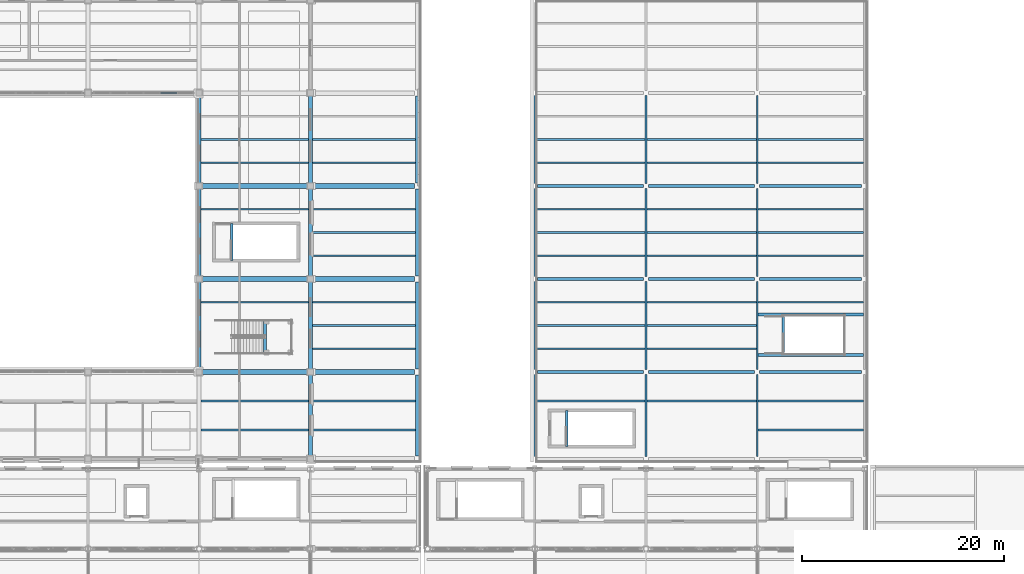
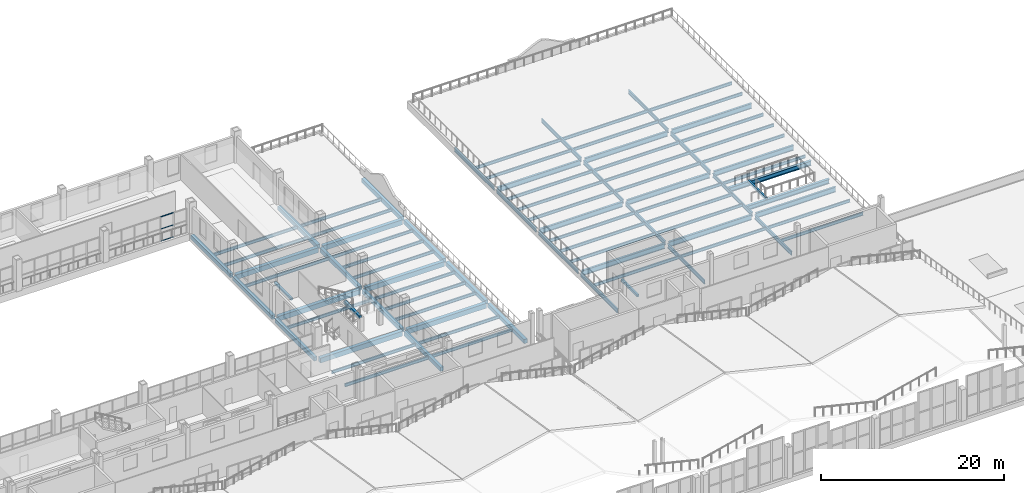
# One storey, part 70 of 120: 86 beams, 3 members, 1 element without a shape of its own.
"""IFC4 building model written with IfcOpenShell, lengths in metres."""

from ifc_helpers import new_model, si_unit, direction, frame, origin, origin_2d, place, context, subcontext, project, spatial, rectangle, hollow_rectangle, i_section, extrude, material, material_profile, profile_set, type_object, element, aggregate, save


model = new_model("IFC4")

# Units and contexts
model_context = context("Model", 3, precision=1e-05, world=origin(), true_north=direction((0.0, 1.0)))
body_context = subcontext(model_context, "Body", "Model", "MODEL_VIEW")
ifc_project = project(units=[si_unit("LENGTHUNIT", "METRE"), si_unit("AREAUNIT", "SQUARE_METRE"), si_unit("VOLUMEUNIT", "CUBIC_METRE"), si_unit("PLANEANGLEUNIT", "RADIAN"), si_unit("MASSUNIT", "GRAM", prefix="KILO")], contexts=[model_context])

# Site, building, storey
site_placement = place(None, origin())
site = spatial("IfcSite", under=ifc_project, at=site_placement, CompositionType="ELEMENT")
building_placement = place(site_placement, origin())
building = spatial("IfcBuilding", under=site, at=building_placement, Name="Caurita Quay Ferry Terminal", CompositionType="ELEMENT")
storey_placement = place(building_placement, frame((0.0, 0.0, 9.89990234375)))
storey = spatial("IfcBuildingStorey", under=building, at=storey_placement, Name="L02", CompositionType="ELEMENT", Elevation=9.89990234375)

# Beams
ifc_material_1 = material(Name="Structural steel ASTM A992 Gr. 50", Category="steel")
ifc_material_profile_1 = material_profile(ifc_material_1, i_section(OverallWidth=0.3251953125, OverallDepth=0.612060546875, WebThickness=0.0126953125, FlangeThickness=0.01904296875, FilletRadius=0.01513671875, at=origin_2d()), Name="W24X104")
ifc_profile_set_1 = profile_set([ifc_material_profile_1], Name="Structural steel ASTM A992 Gr. 50")
beam_type_1 = type_object("IfcBeamType", Name="BM-GR-W24A", PredefinedType="BEAM", material=ifc_profile_set_1)
for number, where, z_axis, x_axis, name in (
    (1, (121.283203125, 81.8798828125, -0.51611328125), (1.0, 0.0, 0.0), (0.0, 1.0, 0.0), "L02 Promenade Stair ST-13 Stringer S"),
    (2, (121.283203125, 85.8798828125, -0.51611328125), (1.0, 0.0, 0.0), (0.0, 1.0, 0.0), "L02 Promenade Stair ST-13 Stringer N"),
):
    element("IfcBeam", number, at=place(storey_placement, frame(where, z_axis=z_axis, x_axis=x_axis)), inside=storey, type_object=beam_type_1, Name=name, PredefinedType="BEAM", context=body_context, shape_type="SweptSolid", body=[
        extrude(i_section(OverallWidth=0.3251953125, OverallDepth=0.612060546875, WebThickness=0.0126953125, FlangeThickness=0.01904296875, FilletRadius=0.01513671875, at=origin_2d()), origin(), (0.0, 0.0, 1.0), 10.43359375),
    ])
ifc_material_profile_2 = material_profile(ifc_material_1, i_section(OverallWidth=0.25390625, OverallDepth=0.68310546875, WebThickness=0.012451171875, FlangeThickness=0.018798828125, at=origin_2d()), Name="W27X94")
ifc_profile_set_2 = profile_set([ifc_material_profile_2], Name="Structural steel ASTM A992 Gr. 50")
beam_type_2 = type_object("IfcBeamType", Name="BM-GR-W27B", PredefinedType="BEAM", material=ifc_profile_set_2)
for number, where, z_axis, x_axis, name in (
    (3, (99.455078125, 80.199951171875, -0.551513671875), (1.0, 0.0, 0.0), (0.0, 1.0, 0.0), "L02 Beam BM-V4W-L02-X-995-802"),
    (4, (110.455078125, 80.199951171875, -0.551513671875), (1.0, 0.0, 0.0), (0.0, 1.0, 0.0), "L02 Beam BM-V4W-L02-X-1105-802"),
):
    element("IfcBeam", number, at=place(storey_placement, frame(where, z_axis=z_axis, x_axis=x_axis)), inside=storey, type_object=beam_type_2, Name=name, PredefinedType="BEAM", context=body_context, shape_type="SweptSolid", body=[
        extrude(i_section(OverallWidth=0.25390625, OverallDepth=0.68310546875, WebThickness=0.012451171875, FlangeThickness=0.018798828125, at=origin_2d()), origin(), (0.0, 0.0, 1.0), 10.489990234375),
    ])
beam_1_placement = place(storey_placement, frame((121.455078125, 80.199951171875, -0.551513671875), z_axis=(1.0, 0.0, 0.0), x_axis=(0.0, 1.0, 0.0)))
element("IfcBeam", 5, at=beam_1_placement, inside=storey, type_object=beam_type_2, Name="L02 Beam BM-V4W-L02-X-1215-802", PredefinedType="BEAM", context=body_context, shape_type="SweptSolid", body=[
    extrude(i_section(OverallWidth=0.25390625, OverallDepth=0.68310546875, WebThickness=0.012451171875, FlangeThickness=0.018798828125, at=origin_2d()), origin(), (0.0, 0.0, 1.0), 10.08984375),
])
for number, where, z_axis, x_axis, name in (
    (6, (99.455078125, 89.39990234375, -0.551513671875), (1.0, 0.0, 0.0), (0.0, 1.0, 0.0), "L02 Beam BM-V4W-L02-X-995-894"),
    (7, (110.455078125, 89.39990234375, -0.551513671875), (1.0, 0.0, 0.0), (0.0, 1.0, 0.0), "L02 Beam BM-V4W-L02-X-1105-894"),
):
    element("IfcBeam", number, at=place(storey_placement, frame(where, z_axis=z_axis, x_axis=x_axis)), inside=storey, type_object=beam_type_2, Name=name, PredefinedType="BEAM", context=body_context, shape_type="SweptSolid", body=[
        extrude(i_section(OverallWidth=0.25390625, OverallDepth=0.68310546875, WebThickness=0.012451171875, FlangeThickness=0.018798828125, at=origin_2d()), origin(), (0.0, 0.0, 1.0), 10.489990234375),
    ])
beam_2_placement = place(storey_placement, frame((121.455078125, 89.39990234375, -0.551513671875), z_axis=(1.0, 0.0, 0.0), x_axis=(0.0, 1.0, 0.0)))
element("IfcBeam", 8, at=beam_2_placement, inside=storey, type_object=beam_type_2, Name="L02 Beam BM-V4W-L02-X-1215-894", PredefinedType="BEAM", context=body_context, shape_type="SweptSolid", body=[
    extrude(i_section(OverallWidth=0.25390625, OverallDepth=0.68310546875, WebThickness=0.012451171875, FlangeThickness=0.018798828125, at=origin_2d()), origin(), (0.0, 0.0, 1.0), 10.08984375),
])
for number, where, z_axis, x_axis, name in (
    (9, (99.455078125, 98.60009765625, -0.551513671875), (1.0, 0.0, 0.0), (0.0, 1.0, 0.0), "L02 Beam BM-V4W-L02-X-995-986"),
    (10, (110.455078125, 98.60009765625, -0.551513671875), (1.0, 0.0, 0.0), (0.0, 1.0, 0.0), "L02 Beam BM-V4W-L02-X-1105-986"),
):
    element("IfcBeam", number, at=place(storey_placement, frame(where, z_axis=z_axis, x_axis=x_axis)), inside=storey, type_object=beam_type_2, Name=name, PredefinedType="BEAM", context=body_context, shape_type="SweptSolid", body=[
        extrude(i_section(OverallWidth=0.25390625, OverallDepth=0.68310546875, WebThickness=0.012451171875, FlangeThickness=0.018798828125, at=origin_2d()), origin(), (0.0, 0.0, 1.0), 10.489990234375),
    ])
beam_3_placement = place(storey_placement, frame((121.455078125, 98.60009765625, -0.551513671875), z_axis=(1.0, 0.0, 0.0), x_axis=(0.0, 1.0, 0.0)))
element("IfcBeam", 11, at=beam_3_placement, inside=storey, type_object=beam_type_2, Name="L02 Beam BM-V4W-L02-X-1215-986", PredefinedType="BEAM", context=body_context, shape_type="SweptSolid", body=[
    extrude(i_section(OverallWidth=0.25390625, OverallDepth=0.68310546875, WebThickness=0.012451171875, FlangeThickness=0.018798828125, at=origin_2d()), origin(), (0.0, 0.0, 1.0), 10.08984375),
])
ifc_material_profile_3 = material_profile(ifc_material_1, i_section(OverallWidth=0.1787109375, OverallDepth=0.408935546875, WebThickness=0.0087890625, FlangeThickness=0.014404296875, FilletRadius=0.011474609375, at=origin_2d()), Name="W16X45")
ifc_profile_set_3 = profile_set([ifc_material_profile_3], Name="Structural steel ASTM A992 Gr. 50")
beam_type_3 = type_object("IfcBeamType", Name="BM-JS-W16A", PredefinedType="JOIST", material=ifc_profile_set_3)
for number, where, z_axis, x_axis, name in (
    (12, (66.199951171875, 74.466796875, -0.42431640625), (1.0, 0.0, 0.0), (0.0, 1.0, 0.0), "L02 Beam JS-V5-L02-042"),
    (13, (66.199951171875, 77.333251953125, -0.42431640625), (1.0, 0.0, 0.0), (0.0, 1.0, 0.0), "L02 Beam JS-V5-L02-043"),
    (14, (66.199951171875, 87.10009765625, -0.42431640625), (1.0, 0.0, 0.0), (0.0, 1.0, 0.0), "L02 Beam JS-V5-L02-044"),
    (15, (66.199951171875, 96.300048828125, -0.42431640625), (1.0, 0.0, 0.0), (0.0, 1.0, 0.0), "L02 Beam JS-V5-L02-045"),
    (16, (66.199951171875, 100.89990234375, -0.42431640625), (1.0, 0.0, 0.0), (0.0, 1.0, 0.0), "L02 Beam JS-V5-L02-046"),
    (17, (66.199951171875, 103.199951171875, -0.42431640625), (1.0, 0.0, 0.0), (0.0, 1.0, 0.0), "L02 Beam JS-V5-L02-047"),
):
    element("IfcBeam", number, at=place(storey_placement, frame(where, z_axis=z_axis, x_axis=x_axis)), inside=storey, type_object=beam_type_3, Name=name, PredefinedType="JOIST", context=body_context, shape_type="SweptSolid", body=[
        extrude(i_section(OverallWidth=0.1787109375, OverallDepth=0.408935546875, WebThickness=0.0087890625, FlangeThickness=0.014404296875, FilletRadius=0.011474609375, at=origin_2d()), origin(), (0.0, 0.0, 1.0), 10.60009765625),
    ])
for number, where, z_axis, x_axis, name in (
    (18, (77.199951171875, 74.466796875, -0.414306640625), (1.0, 0.0, 0.0), (0.0, 1.0, 0.0), "L02 Beam JS-V5-L02-052"),
    (19, (77.199951171875, 77.333251953125, -0.414306640625), (1.0, 0.0, 0.0), (0.0, 1.0, 0.0), "L02 Beam JS-V5-L02-053"),
    (20, (77.199951171875, 82.5, -0.414306640625), (1.0, 0.0, 0.0), (0.0, 1.0, 0.0), "L02 Beam JS-V5-L02-054"),
    (21, (77.199951171875, 84.800048828125, -0.414306640625), (1.0, 0.0, 0.0), (0.0, 1.0, 0.0), "L02 Beam JS-V5-L02-055"),
    (22, (77.199951171875, 87.10009765625, -0.414306640625), (1.0, 0.0, 0.0), (0.0, 1.0, 0.0), "L02 Beam JS-V5-L02-056"),
    (23, (77.199951171875, 91.699951171875, -0.414306640625), (1.0, 0.0, 0.0), (0.0, 1.0, 0.0), "L02 Beam JS-V5-L02-057"),
    (24, (77.199951171875, 94.0, -0.414306640625), (1.0, 0.0, 0.0), (0.0, 1.0, 0.0), "L02 Beam JS-V5-L02-058"),
    (25, (77.199951171875, 96.300048828125, -0.414306640625), (1.0, 0.0, 0.0), (0.0, 1.0, 0.0), "L02 Beam JS-V5-L02-059"),
    (26, (77.199951171875, 100.89990234375, -0.414306640625), (1.0, 0.0, 0.0), (0.0, 1.0, 0.0), "L02 Beam JS-V5-L02-060"),
    (27, (77.199951171875, 103.199951171875, -0.414306640625), (1.0, 0.0, 0.0), (0.0, 1.0, 0.0), "L02 Beam JS-V5-L02-061"),
):
    element("IfcBeam", number, at=place(storey_placement, frame(where, z_axis=z_axis, x_axis=x_axis)), inside=storey, type_object=beam_type_3, Name=name, PredefinedType="JOIST", context=body_context, shape_type="SweptSolid", body=[
        extrude(i_section(OverallWidth=0.1787109375, OverallDepth=0.408935546875, WebThickness=0.0087890625, FlangeThickness=0.014404296875, FilletRadius=0.011474609375, at=origin_2d()), origin(), (0.0, 0.0, 1.0), 10.199951171875),
    ])
ifc_material_profile_4 = material_profile(ifc_material_1, i_section(OverallWidth=0.177734375, OverallDepth=0.40380859375, WebThickness=0.007568359375, FlangeThickness=0.010986328125, FilletRadius=0.011474609375, at=origin_2d()), Name="W16X36")
ifc_profile_set_4 = profile_set([ifc_material_profile_4], Name="Structural steel ASTM A992 Gr. 50")
beam_type_4 = type_object("IfcBeamType", Name="BM-JS-W16B", PredefinedType="JOIST", material=ifc_profile_set_4)
for number, where, z_axis, x_axis, name in (
    (28, (99.283203125, 77.333251953125, -0.411865234375), (1.0, 0.0, 0.0), (0.0, 1.0, 0.0), "L02 Beam JS-V4W-L02-001"),
    (29, (99.283203125, 82.5, -0.411865234375), (1.0, 0.0, 0.0), (0.0, 1.0, 0.0), "L02 Beam JS-V4W-L02-002"),
    (30, (99.283203125, 84.800048828125, -0.411865234375), (1.0, 0.0, 0.0), (0.0, 1.0, 0.0), "L02 Beam JS-V4W-L02-003"),
    (31, (99.283203125, 87.10009765625, -0.411865234375), (1.0, 0.0, 0.0), (0.0, 1.0, 0.0), "L02 Beam JS-V4W-L02-004"),
    (32, (99.283203125, 91.699951171875, -0.411865234375), (1.0, 0.0, 0.0), (0.0, 1.0, 0.0), "L02 Beam JS-V4W-L02-005"),
    (33, (99.283203125, 94.0, -0.411865234375), (1.0, 0.0, 0.0), (0.0, 1.0, 0.0), "L02 Beam JS-V4W-L02-006"),
    (34, (99.283203125, 96.300048828125, -0.411865234375), (1.0, 0.0, 0.0), (0.0, 1.0, 0.0), "L02 Beam JS-V4W-L02-007"),
    (35, (99.283203125, 100.89990234375, -0.411865234375), (1.0, 0.0, 0.0), (0.0, 1.0, 0.0), "L02 Beam JS-V4W-L02-008"),
    (36, (99.283203125, 103.199951171875, -0.411865234375), (1.0, 0.0, 0.0), (0.0, 1.0, 0.0), "L02 Beam JS-V4W-L02-009"),
    (37, (110.283203125, 77.333251953125, -0.411865234375), (1.0, 0.0, 0.0), (0.0, 1.0, 0.0), "L02 Beam JS-V4W-L02-014"),
    (38, (110.283203125, 82.5, -0.411865234375), (1.0, 0.0, 0.0), (0.0, 1.0, 0.0), "L02 Beam JS-V4W-L02-015"),
    (39, (110.283203125, 84.800048828125, -0.411865234375), (1.0, 0.0, 0.0), (0.0, 1.0, 0.0), "L02 Beam JS-V4W-L02-016"),
    (40, (110.283203125, 87.10009765625, -0.411865234375), (1.0, 0.0, 0.0), (0.0, 1.0, 0.0), "L02 Beam JS-V4W-L02-017"),
    (41, (110.283203125, 91.699951171875, -0.411865234375), (1.0, 0.0, 0.0), (0.0, 1.0, 0.0), "L02 Beam JS-V4W-L02-018"),
    (42, (110.283203125, 94.0, -0.411865234375), (1.0, 0.0, 0.0), (0.0, 1.0, 0.0), "L02 Beam JS-V4W-L02-019"),
    (43, (110.283203125, 96.300048828125, -0.411865234375), (1.0, 0.0, 0.0), (0.0, 1.0, 0.0), "L02 Beam JS-V4W-L02-020"),
    (44, (110.283203125, 100.89990234375, -0.411865234375), (1.0, 0.0, 0.0), (0.0, 1.0, 0.0), "L02 Beam JS-V4W-L02-021"),
    (45, (110.283203125, 103.199951171875, -0.411865234375), (1.0, 0.0, 0.0), (0.0, 1.0, 0.0), "L02 Beam JS-V4W-L02-022"),
):
    element("IfcBeam", number, at=place(storey_placement, frame(where, z_axis=z_axis, x_axis=x_axis)), inside=storey, type_object=beam_type_4, Name=name, PredefinedType="JOIST", context=body_context, shape_type="SweptSolid", body=[
        extrude(i_section(OverallWidth=0.177734375, OverallDepth=0.40380859375, WebThickness=0.007568359375, FlangeThickness=0.010986328125, FilletRadius=0.011474609375, at=origin_2d()), origin(), (0.0, 0.0, 1.0), 10.83349609375),
    ])
for number, where, z_axis, x_axis, name in (
    (46, (121.283203125, 74.466796875, -0.411865234375), (1.0, 0.0, 0.0), (0.0, 1.0, 0.0), "L02 Beam JS-V4W-L02-027"),
    (47, (121.283203125, 77.333251953125, -0.411865234375), (1.0, 0.0, 0.0), (0.0, 1.0, 0.0), "L02 Beam JS-V4W-L02-028"),
    (48, (121.283203125, 87.10009765625, -0.411865234375), (1.0, 0.0, 0.0), (0.0, 1.0, 0.0), "L02 Beam JS-V4W-L02-029"),
    (49, (121.283203125, 91.699951171875, -0.411865234375), (1.0, 0.0, 0.0), (0.0, 1.0, 0.0), "L02 Beam JS-V4W-L02-030"),
    (50, (121.283203125, 94.0, -0.411865234375), (1.0, 0.0, 0.0), (0.0, 1.0, 0.0), "L02 Beam JS-V4W-L02-031"),
    (51, (121.283203125, 96.300048828125, -0.411865234375), (1.0, 0.0, 0.0), (0.0, 1.0, 0.0), "L02 Beam JS-V4W-L02-032"),
    (52, (121.283203125, 100.89990234375, -0.411865234375), (1.0, 0.0, 0.0), (0.0, 1.0, 0.0), "L02 Beam JS-V4W-L02-033"),
    (53, (121.283203125, 103.199951171875, -0.411865234375), (1.0, 0.0, 0.0), (0.0, 1.0, 0.0), "L02 Beam JS-V4W-L02-034"),
):
    element("IfcBeam", number, at=place(storey_placement, frame(where, z_axis=z_axis, x_axis=x_axis)), inside=storey, type_object=beam_type_4, Name=name, PredefinedType="JOIST", context=body_context, shape_type="SweptSolid", body=[
        extrude(i_section(OverallWidth=0.177734375, OverallDepth=0.40380859375, WebThickness=0.007568359375, FlangeThickness=0.010986328125, FilletRadius=0.011474609375, at=origin_2d()), origin(), (0.0, 0.0, 1.0), 10.43359375),
    ])
ifc_material_2 = material(Name="Reinforced concrete C35/45", Category="concrete")
ifc_material_profile_5 = material_profile(ifc_material_2, rectangle(XDim=0.39990234375, YDim=0.550048828125, at=origin_2d()), Name="RC-BM-400X550")
ifc_profile_set_5 = profile_set([ifc_material_profile_5], Name="Reinforced concrete C35/45")
beam_type_5 = type_object("IfcBeamType", Name="BM-RC-4055", PredefinedType="BEAM", material=ifc_profile_set_5)
for number, where, z_axis, x_axis, name in (
    (54, (66.0, 80.49755859375, -0.494873046875), (0.0, 1.0, 0.0), (-1.0, 0.0, 0.0), "L02 Beam BM-V5-L02-Y-660-805"),
    (55, (66.0, 89.697509765625, -0.494873046875), (0.0, 1.0, 0.0), (-1.0, 0.0, 0.0), "L02 Beam BM-V5-L02-Y-660-897"),
    (56, (66.0, 98.8974609375, -0.494873046875), (0.0, 1.0, 0.0), (-1.0, 0.0, 0.0), "L02 Beam BM-V5-L02-Y-660-989"),
):
    element("IfcBeam", number, at=place(storey_placement, frame(where, z_axis=z_axis, x_axis=x_axis)), inside=storey, type_object=beam_type_5, Name=name, PredefinedType="BEAM", context=body_context, shape_type="SweptSolid", body=[
        extrude(rectangle(XDim=0.39990234375, YDim=0.550048828125, at=origin_2d()), origin(), (0.0, 0.0, 1.0), 8.60498046875),
    ])
beam_4_placement = place(storey_placement, frame((77.0, 71.8974609375, -0.494873046875), z_axis=(0.0, 1.0, 0.0), x_axis=(-1.0, 0.0, 0.0)))
element("IfcBeam", 57, at=beam_4_placement, inside=storey, type_object=beam_type_5, Name="L02 Beam BM-V5-L02-Y-770-719", PredefinedType="BEAM", context=body_context, shape_type="SweptSolid", body=[
    extrude(rectangle(XDim=0.39990234375, YDim=0.550048828125, at=origin_2d()), origin(), (0.0, 0.0, 1.0), 8.005126953125),
])
for number, where, z_axis, x_axis, name in (
    (58, (77.0, 80.49755859375, -0.494873046875), (0.0, 1.0, 0.0), (-1.0, 0.0, 0.0), "L02 Beam BM-V5-L02-Y-770-805"),
    (59, (77.0, 89.697509765625, -0.494873046875), (0.0, 1.0, 0.0), (-1.0, 0.0, 0.0), "L02 Beam BM-V5-L02-Y-770-897"),
    (60, (77.0, 98.8974609375, -0.494873046875), (0.0, 1.0, 0.0), (-1.0, 0.0, 0.0), "L02 Beam BM-V5-L02-Y-770-989"),
):
    element("IfcBeam", number, at=place(storey_placement, frame(where, z_axis=z_axis, x_axis=x_axis)), inside=storey, type_object=beam_type_5, Name=name, PredefinedType="BEAM", context=body_context, shape_type="SweptSolid", body=[
        extrude(rectangle(XDim=0.39990234375, YDim=0.550048828125, at=origin_2d()), origin(), (0.0, 0.0, 1.0), 8.60498046875),
    ])
beam_5_placement = place(storey_placement, frame((87.60009765625, 71.8974609375, -0.48486328125), z_axis=(0.0, 1.0, 0.0), x_axis=(-1.0, 0.0, 0.0)))
element("IfcBeam", 61, at=beam_5_placement, inside=storey, type_object=beam_type_5, Name="L02 Beam BM-V5-L02-Y-876-719", PredefinedType="BEAM", context=body_context, shape_type="SweptSolid", body=[
    extrude(rectangle(XDim=0.39990234375, YDim=0.550048828125, at=origin_2d()), origin(), (0.0, 0.0, 1.0), 8.005126953125),
])
for number, where, z_axis, x_axis, name in (
    (62, (87.60009765625, 80.49755859375, -0.48486328125), (0.0, 1.0, 0.0), (-1.0, 0.0, 0.0), "L02 Beam BM-V5-L02-Y-876-805"),
    (63, (87.60009765625, 89.697509765625, -0.48486328125), (0.0, 1.0, 0.0), (-1.0, 0.0, 0.0), "L02 Beam BM-V5-L02-Y-876-897"),
    (64, (87.60009765625, 98.8974609375, -0.48486328125), (0.0, 1.0, 0.0), (-1.0, 0.0, 0.0), "L02 Beam BM-V5-L02-Y-876-989"),
):
    element("IfcBeam", number, at=place(storey_placement, frame(where, z_axis=z_axis, x_axis=x_axis)), inside=storey, type_object=beam_type_5, Name=name, PredefinedType="BEAM", context=body_context, shape_type="SweptSolid", body=[
        extrude(rectangle(XDim=0.39990234375, YDim=0.550048828125, at=origin_2d()), origin(), (0.0, 0.0, 1.0), 8.60498046875),
    ])
ifc_material_profile_6 = material_profile(ifc_material_2, rectangle(XDim=0.449951171875, YDim=0.64990234375, at=origin_2d()), Name="RC-BM-450X650")
ifc_profile_set_6 = profile_set([ifc_material_profile_6], Name="Reinforced concrete C35/45")
beam_type_6 = type_object("IfcBeamType", Name="BM-RC-4565", PredefinedType="BEAM", material=ifc_profile_set_6)
beam_6_placement = place(storey_placement, frame((66.297607421875, 80.199951171875, -0.544921875), z_axis=(1.0, 0.0, 0.0), x_axis=(0.0, 1.0, 0.0)))
element("IfcBeam", 65, at=beam_6_placement, inside=storey, type_object=beam_type_6, Name="L02 Beam BM-V5-L02-X-663-802", PredefinedType="BEAM", context=body_context, shape_type="SweptSolid", body=[
    extrude(rectangle(XDim=0.449951171875, YDim=0.64990234375, at=origin_2d()), origin(), (0.0, 0.0, 1.0), 10.40478515625),
])
beam_7_placement = place(storey_placement, frame((77.297607421875, 80.199951171875, -0.534912109375), z_axis=(1.0, 0.0, 0.0), x_axis=(0.0, 1.0, 0.0)))
element("IfcBeam", 66, at=beam_7_placement, inside=storey, type_object=beam_type_6, Name="L02 Beam BM-V5-L02-X-773-802", PredefinedType="BEAM", context=body_context, shape_type="SweptSolid", body=[
    extrude(rectangle(XDim=0.449951171875, YDim=0.64990234375, at=origin_2d()), origin(), (0.0, 0.0, 1.0), 10.0048828125),
])
beam_8_placement = place(storey_placement, frame((66.297607421875, 89.39990234375, -0.544921875), z_axis=(1.0, 0.0, 0.0), x_axis=(0.0, 1.0, 0.0)))
element("IfcBeam", 67, at=beam_8_placement, inside=storey, type_object=beam_type_6, Name="L02 Beam BM-V5-L02-X-663-894", PredefinedType="BEAM", context=body_context, shape_type="SweptSolid", body=[
    extrude(rectangle(XDim=0.449951171875, YDim=0.64990234375, at=origin_2d()), origin(), (0.0, 0.0, 1.0), 10.40478515625),
])
beam_9_placement = place(storey_placement, frame((77.297607421875, 89.39990234375, -0.534912109375), z_axis=(1.0, 0.0, 0.0), x_axis=(0.0, 1.0, 0.0)))
element("IfcBeam", 68, at=beam_9_placement, inside=storey, type_object=beam_type_6, Name="L02 Beam BM-V5-L02-X-773-894", PredefinedType="BEAM", context=body_context, shape_type="SweptSolid", body=[
    extrude(rectangle(XDim=0.449951171875, YDim=0.64990234375, at=origin_2d()), origin(), (0.0, 0.0, 1.0), 10.0048828125),
])
beam_10_placement = place(storey_placement, frame((66.297607421875, 98.60009765625, -0.544921875), z_axis=(1.0, 0.0, 0.0), x_axis=(0.0, 1.0, 0.0)))
element("IfcBeam", 69, at=beam_10_placement, inside=storey, type_object=beam_type_6, Name="L02 Beam BM-V5-L02-X-663-986", PredefinedType="BEAM", context=body_context, shape_type="SweptSolid", body=[
    extrude(rectangle(XDim=0.449951171875, YDim=0.64990234375, at=origin_2d()), origin(), (0.0, 0.0, 1.0), 10.40478515625),
])
beam_11_placement = place(storey_placement, frame((77.297607421875, 98.60009765625, -0.534912109375), z_axis=(1.0, 0.0, 0.0), x_axis=(0.0, 1.0, 0.0)))
element("IfcBeam", 70, at=beam_11_placement, inside=storey, type_object=beam_type_6, Name="L02 Beam BM-V5-L02-X-773-986", PredefinedType="BEAM", context=body_context, shape_type="SweptSolid", body=[
    extrude(rectangle(XDim=0.449951171875, YDim=0.64990234375, at=origin_2d()), origin(), (0.0, 0.0, 1.0), 10.0048828125),
])
ifc_material_profile_7 = material_profile(ifc_material_1, i_section(OverallWidth=0.16650390625, OverallDepth=0.535888671875, WebThickness=0.01025390625, FlangeThickness=0.0166015625, FilletRadius=0.013916015625, at=origin_2d()), Name="W21X57")
ifc_profile_set_7 = profile_set([ifc_material_profile_7], Name="Structural steel ASTM A992 Gr. 50")
beam_type_7 = type_object("IfcBeamType", Name="BM-SP-W21B", PredefinedType="SPANDREL", material=ifc_profile_set_7)
beam_12_placement = place(storey_placement, frame((99.199951171875, 71.85498046875, -0.477783203125), z_axis=(0.0, 1.0, 0.0), x_axis=(-1.0, 0.0, 0.0)))
element("IfcBeam", 71, at=beam_12_placement, inside=storey, type_object=beam_type_7, Name="L02 Beam BM-V4W-L02-Y-992-719", PredefinedType="SPANDREL", context=body_context, shape_type="SweptSolid", body=[
    extrude(i_section(OverallWidth=0.16650390625, OverallDepth=0.535888671875, WebThickness=0.01025390625, FlangeThickness=0.0166015625, FilletRadius=0.013916015625, at=origin_2d()), origin(), (0.0, 0.0, 1.0), 8.090087890625),
])
for number, where, z_axis, x_axis, name in (
    (72, (99.199951171875, 80.455078125, -0.477783203125), (0.0, 1.0, 0.0), (-1.0, 0.0, 0.0), "L02 Beam BM-V4W-L02-Y-992-805"),
    (73, (99.199951171875, 89.655029296875, -0.477783203125), (0.0, 1.0, 0.0), (-1.0, 0.0, 0.0), "L02 Beam BM-V4W-L02-Y-992-897"),
    (74, (99.199951171875, 98.85498046875, -0.477783203125), (0.0, 1.0, 0.0), (-1.0, 0.0, 0.0), "L02 Beam BM-V4W-L02-Y-992-989"),
):
    element("IfcBeam", number, at=place(storey_placement, frame(where, z_axis=z_axis, x_axis=x_axis)), inside=storey, type_object=beam_type_7, Name=name, PredefinedType="SPANDREL", context=body_context, shape_type="SweptSolid", body=[
        extrude(i_section(OverallWidth=0.16650390625, OverallDepth=0.535888671875, WebThickness=0.01025390625, FlangeThickness=0.0166015625, FilletRadius=0.013916015625, at=origin_2d()), origin(), (0.0, 0.0, 1.0), 8.68994140625),
    ])
beam_13_placement = place(storey_placement, frame((110.199951171875, 71.85498046875, -0.477783203125), z_axis=(0.0, 1.0, 0.0), x_axis=(-1.0, 0.0, 0.0)))
element("IfcBeam", 75, at=beam_13_placement, inside=storey, type_object=beam_type_7, Name="L02 Beam BM-V4W-L02-Y-1102-719", PredefinedType="SPANDREL", context=body_context, shape_type="SweptSolid", body=[
    extrude(i_section(OverallWidth=0.16650390625, OverallDepth=0.535888671875, WebThickness=0.01025390625, FlangeThickness=0.0166015625, FilletRadius=0.013916015625, at=origin_2d()), origin(), (0.0, 0.0, 1.0), 8.090087890625),
])
for number, where, z_axis, x_axis, name in (
    (76, (110.199951171875, 80.455078125, -0.477783203125), (0.0, 1.0, 0.0), (-1.0, 0.0, 0.0), "L02 Beam BM-V4W-L02-Y-1102-805"),
    (77, (110.199951171875, 89.655029296875, -0.477783203125), (0.0, 1.0, 0.0), (-1.0, 0.0, 0.0), "L02 Beam BM-V4W-L02-Y-1102-897"),
    (78, (110.199951171875, 98.85498046875, -0.477783203125), (0.0, 1.0, 0.0), (-1.0, 0.0, 0.0), "L02 Beam BM-V4W-L02-Y-1102-989"),
):
    element("IfcBeam", number, at=place(storey_placement, frame(where, z_axis=z_axis, x_axis=x_axis)), inside=storey, type_object=beam_type_7, Name=name, PredefinedType="SPANDREL", context=body_context, shape_type="SweptSolid", body=[
        extrude(i_section(OverallWidth=0.16650390625, OverallDepth=0.535888671875, WebThickness=0.01025390625, FlangeThickness=0.0166015625, FilletRadius=0.013916015625, at=origin_2d()), origin(), (0.0, 0.0, 1.0), 8.68994140625),
    ])
beam_14_placement = place(storey_placement, frame((121.199951171875, 71.85498046875, -0.477783203125), z_axis=(0.0, 1.0, 0.0), x_axis=(-1.0, 0.0, 0.0)))
element("IfcBeam", 79, at=beam_14_placement, inside=storey, type_object=beam_type_7, Name="L02 Beam BM-V4W-L02-Y-1212-719", PredefinedType="SPANDREL", context=body_context, shape_type="SweptSolid", body=[
    extrude(i_section(OverallWidth=0.16650390625, OverallDepth=0.535888671875, WebThickness=0.01025390625, FlangeThickness=0.0166015625, FilletRadius=0.013916015625, at=origin_2d()), origin(), (0.0, 0.0, 1.0), 8.090087890625),
])
for number, where, z_axis, x_axis, name in (
    (80, (121.199951171875, 80.455078125, -0.477783203125), (0.0, 1.0, 0.0), (-1.0, 0.0, 0.0), "L02 Beam BM-V4W-L02-Y-1212-805"),
    (81, (121.199951171875, 89.655029296875, -0.477783203125), (0.0, 1.0, 0.0), (-1.0, 0.0, 0.0), "L02 Beam BM-V4W-L02-Y-1212-897"),
    (82, (121.199951171875, 98.85498046875, -0.477783203125), (0.0, 1.0, 0.0), (-1.0, 0.0, 0.0), "L02 Beam BM-V4W-L02-Y-1212-989"),
):
    element("IfcBeam", number, at=place(storey_placement, frame(where, z_axis=z_axis, x_axis=x_axis)), inside=storey, type_object=beam_type_7, Name=name, PredefinedType="SPANDREL", context=body_context, shape_type="SweptSolid", body=[
        extrude(i_section(OverallWidth=0.16650390625, OverallDepth=0.535888671875, WebThickness=0.01025390625, FlangeThickness=0.0166015625, FilletRadius=0.013916015625, at=origin_2d()), origin(), (0.0, 0.0, 1.0), 8.68994140625),
    ])

# Curtain wall, members
ifc_material_3 = material(Name="Laminated solar-control insulated glass", Category="glass")
curtain_wall_type = type_object("IfcCurtainWallType", Name="CW-SYS-24", PredefinedType="NOTDEFINED", material=ifc_material_3)
curtain_wall_placement = place(storey_placement, origin())
curtain_wall = element("IfcCurtainWall", 83, at=curtain_wall_placement, inside=storey, type_object=curtain_wall_type, Name="L02 Courtyard Cloister Storefront 171", PredefinedType="NOTDEFINED")
ifc_material_4 = material(Name="Anodized aluminium 6063-T6", Category="aluminium")
ifc_material_profile_8 = material_profile(ifc_material_4, hollow_rectangle(XDim=0.06005859375, YDim=0.114990234375, WallThickness=0.00341796875, at=origin_2d()), Name="ALU-TRN-60X115")
ifc_profile_set_8 = profile_set([ifc_material_profile_8], Name="Anodized aluminium 6063-T6")
member_type = type_object("IfcMemberType", Name="CW-TRN-115", PredefinedType="USERDEFINED", material=ifc_profile_set_8)
member_1_placement = place(storey_placement, frame((62.177978515625, 107.800048828125, 0.030029296875), z_axis=(1.0, 0.0, 0.0), x_axis=(0.0, 1.0, 0.0)))
member_1 = element("IfcMember", 84, at=member_1_placement, type_object=member_type, Name="CW-CRT-171 Transom 13", ObjectType="TRANSOM", PredefinedType="USERDEFINED", context=body_context, shape_type="SweptSolid", body=[
    extrude(hollow_rectangle(XDim=0.06005859375, YDim=0.114990234375, WallThickness=0.00341796875, at=origin_2d()), origin(), (0.0, 0.0, 1.0), 1.593994140625),
])
member_2_placement = place(storey_placement, frame((62.177978515625, 107.800048828125, 1.650146484375), z_axis=(1.0, 0.0, 0.0), x_axis=(0.0, 1.0, 0.0)))
member_2 = element("IfcMember", 85, at=member_2_placement, type_object=member_type, Name="CW-CRT-171 Transom 14", ObjectType="TRANSOM", PredefinedType="USERDEFINED", context=body_context, shape_type="SweptSolid", body=[
    extrude(hollow_rectangle(XDim=0.06005859375, YDim=0.114990234375, WallThickness=0.00341796875, at=origin_2d()), origin(), (0.0, 0.0, 1.0), 1.593994140625),
])
member_3_placement = place(storey_placement, frame((62.177978515625, 107.800048828125, 3.27001953125), z_axis=(1.0, 0.0, 0.0), x_axis=(0.0, 1.0, 0.0)))
member_3 = element("IfcMember", 86, at=member_3_placement, type_object=member_type, Name="CW-CRT-171 Transom 15", ObjectType="TRANSOM", PredefinedType="USERDEFINED", context=body_context, shape_type="SweptSolid", body=[
    extrude(hollow_rectangle(XDim=0.06005859375, YDim=0.114990234375, WallThickness=0.00341796875, at=origin_2d()), origin(), (0.0, 0.0, 1.0), 1.593994140625),
])
aggregate(curtain_wall, [member_1, member_2, member_3])

# Beams
ifc_material_profile_9 = material_profile(ifc_material_2, rectangle(XDim=0.25, YDim=0.300048828125, at=origin_2d()), Name="RC-LN-250X300")
ifc_profile_set_9 = profile_set([ifc_material_profile_9], Name="Reinforced concrete C35/45")
beam_type_8 = type_object("IfcBeamType", Name="LN-RC-2530", PredefinedType="LINTEL", material=ifc_profile_set_9)
beam_15_placement = place(storey_placement, frame((69.199951171875, 91.25, -0.14990234375), z_axis=(0.0, 1.0, 0.0), x_axis=(-1.0, 0.0, 0.0)))
element("IfcBeam", 87, at=beam_15_placement, inside=storey, type_object=beam_type_8, Name="L02 Stair ST-04 Landing Trimmer Beam", PredefinedType="LINTEL", context=body_context, shape_type="SweptSolid", body=[
    extrude(rectangle(XDim=0.25, YDim=0.300048828125, at=origin_2d()), origin(), (0.0, 0.0, 1.0), 3.659912109375),
])
beam_16_placement = place(storey_placement, frame((102.35009765625, 72.85009765625, -0.14990234375), z_axis=(0.0, 1.0, 0.0), x_axis=(-1.0, 0.0, 0.0)))
element("IfcBeam", 88, at=beam_16_placement, inside=storey, type_object=beam_type_8, Name="L02 Stair ST-12 Landing Trimmer Beam", PredefinedType="LINTEL", context=body_context, shape_type="SweptSolid", body=[
    extrude(rectangle(XDim=0.25, YDim=0.300048828125, at=origin_2d()), origin(), (0.0, 0.0, 1.0), 3.559814453125),
])
beam_17_placement = place(storey_placement, frame((123.800048828125, 81.8798828125, -0.14990234375), z_axis=(0.0, 1.0, 0.0), x_axis=(-1.0, 0.0, 0.0)))
element("IfcBeam", 89, at=beam_17_placement, inside=storey, type_object=beam_type_8, Name="L02 Promenade Stair ST-13 Upper Trimmer Beam", PredefinedType="LINTEL", context=body_context, shape_type="SweptSolid", body=[
    extrude(rectangle(XDim=0.25, YDim=0.300048828125, at=origin_2d()), origin(), (0.0, 0.0, 1.0), 4.0),
])
ifc_material_profile_10 = material_profile(ifc_material_2, rectangle(XDim=0.300048828125, YDim=0.35009765625, at=origin_2d()), Name="RC-LN-300X350")
ifc_profile_set_10 = profile_set([ifc_material_profile_10], Name="Reinforced concrete C35/45")
beam_type_9 = type_object("IfcBeamType", Name="LN-RC-3035", PredefinedType="LINTEL", material=ifc_profile_set_10)
beam_18_placement = place(storey_placement, frame((72.5, 82.0, 1.925048828125), z_axis=(0.0, 1.0, 0.0), x_axis=(-1.0, 0.0, 0.0)))
element("IfcBeam", 90, at=beam_18_placement, inside=storey, type_object=beam_type_9, Name="L02 Promenade Stair ST-14 Half-Landing Beam", PredefinedType="LINTEL", context=body_context, shape_type="SweptSolid", body=[
    extrude(rectangle(XDim=0.300048828125, YDim=0.35009765625, at=origin_2d()), origin(), (0.0, 0.0, 1.0), 3.360107421875),
])

save(model, "model.ifc")
